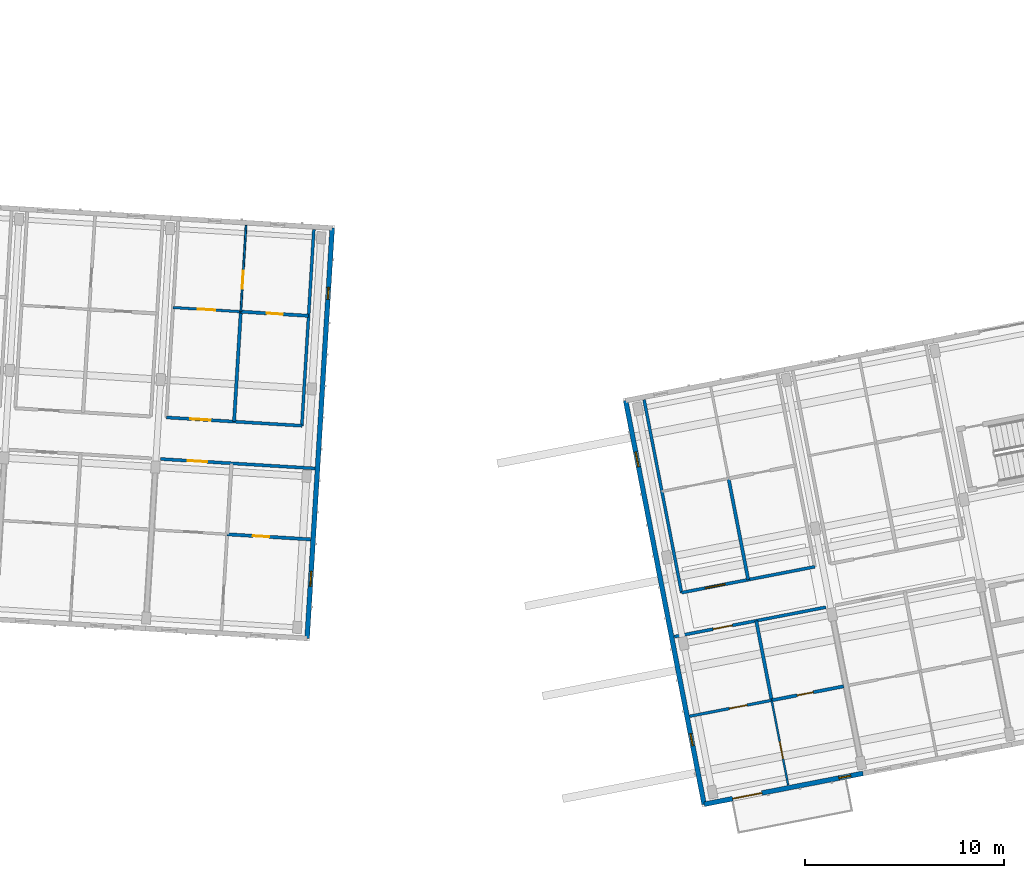
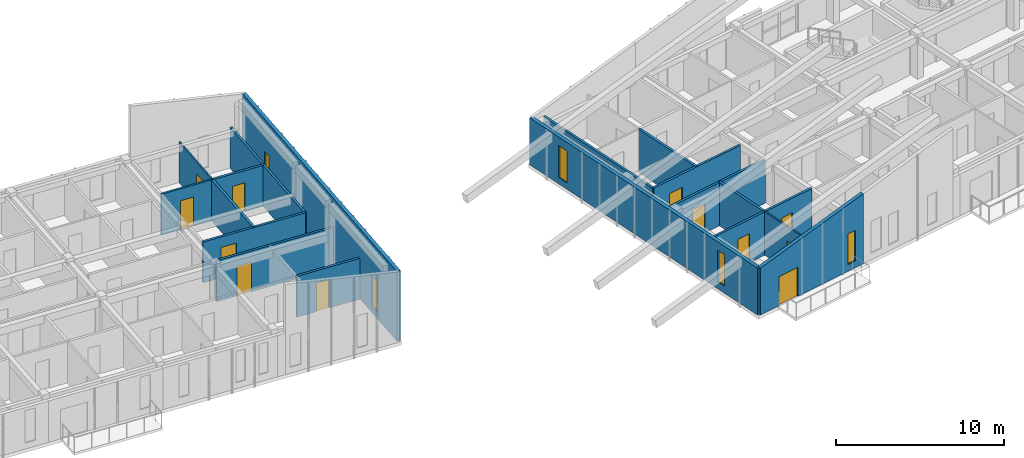
# One storey, part 28 of 64: 19 walls, 12 doors, 5 windows, 17 openings.
"""IFC4 building model written with IfcOpenShell, lengths in metres."""

from ifc_helpers import new_model, si_unit, direction, frame, frame_2d, origin, place, context, subcontext, project, spatial, polyline, rectangle, outline, extrude, material, layer, layer_set, type_object, element, fill, save


model = new_model("IFC4")

# Units and contexts
model_context = context("Model", 3, precision=1e-05, world=origin(), true_north=direction((0.0, 1.0)))
body_context = subcontext(model_context, "Body", "Model", "MODEL_VIEW")
ifc_project = project(units=[si_unit("LENGTHUNIT", "METRE"), si_unit("AREAUNIT", "SQUARE_METRE"), si_unit("VOLUMEUNIT", "CUBIC_METRE"), si_unit("PLANEANGLEUNIT", "RADIAN"), si_unit("MASSUNIT", "GRAM", prefix="KILO")], contexts=[model_context])

# Site, building, storey
site_placement = place(None, origin())
site = spatial("IfcSite", under=ifc_project, at=site_placement, CompositionType="ELEMENT")
building_placement = place(site_placement, origin())
building = spatial("IfcBuilding", under=site, at=building_placement, Name="Kestramere Prow Commons", CompositionType="ELEMENT")
storey_placement = place(building_placement, frame((0.0, 0.0, 24.64990234375)))
storey = spatial("IfcBuildingStorey", under=building, at=storey_placement, Name="L07", CompositionType="ELEMENT", Elevation=24.64990234375)

# Wall, openings, windows
ifc_material_1 = material(Name="Fluoropolymer Standing-Seam Zinc-Aluminium Cladding", Category="aluminium")
ifc_layer_1 = layer(ifc_material_1, 0.239990234375)
ifc_layer_set_1 = layer_set([ifc_layer_1], Name="Fluoropolymer Standing-Seam Zinc-Aluminium Cladding")
wall_type_1 = type_object("IfcWallType", Name="EW-SEAM-240", PredefinedType="SOLIDWALL", material=ifc_layer_set_1)
wall_1_placement = place(storey_placement, frame((106.767578125, 63.771484375, 0.0), z_axis=(0.0, 0.0, 1.0), x_axis=(-0.061053332998, -0.99813450523, 0.0)))
wall_1 = element("IfcWall", 1, at=wall_1_placement, inside=storey, type_object=wall_type_1, Name="Block C L07 EAV Facet Wall", PredefinedType="SOLIDWALL", context=body_context, shape_type="SweptSolid", body=[
    extrude(rectangle(XDim=20.64990234375, YDim=0.239990234375, at=frame_2d((10.324951171875, 0.0))), origin(), (0.0, 0.0, 1.0), 5.085205078125),
])
opening_1_placement = place(wall_1_placement, frame((2.989990234375, 0.0, 0.52001953125)))
opening_1 = element("IfcOpeningElement", 2, at=opening_1_placement, cuts=wall_1, Name="Opening WN-02", PredefinedType="OPENING", context=body_context, shape_type="SweptSolid", body=[
    extrude(rectangle(XDim=0.60009765625, YDim=2.219970703125, at=frame_2d((0.300048828125, 1.10986328125))), frame((0.0, 0.135009765625, 0.0), z_axis=(0.0, -1.0, 0.0), x_axis=(1.0, 0.0, 0.0)), (0.0, 0.0, 1.0), 0.27001953125),
])
opening_2_placement = place(wall_1_placement, frame((17.280029296875, 0.0, 0.449951171875)))
opening_2 = element("IfcOpeningElement", 3, at=opening_2_placement, cuts=wall_1, Name="Opening WN-09", PredefinedType="OPENING", context=body_context, shape_type="SweptSolid", body=[
    extrude(rectangle(XDim=0.739990234375, YDim=2.260009765625, at=frame_2d((0.3701171875, 1.1298828125))), frame((0.0, 0.135009765625, 0.0), z_axis=(0.0, -1.0, 0.0), x_axis=(1.0, 0.0, 0.0)), (0.0, 0.0, 1.0), 0.27001953125),
])
ifc_material_2 = material(Name="Low-E Laminated Double Glazing", Category="glass")
window_type_1 = type_object("IfcWindowType", Name="WN-NAR-600A", PartitioningType="SINGLE_PANEL", PredefinedType="WINDOW", material=ifc_material_2)
window_1_placement = place(opening_1_placement, origin())
window_1 = element("IfcWindow", 4, at=window_1_placement, inside=storey, type_object=window_type_1, Name="WN-C-L07-EAV-0", OverallHeight=2.219970703125, OverallWidth=0.60009765625, PartitioningType="SINGLE_PANEL", PredefinedType="WINDOW", context=body_context, shape_type="SweptSolid", body=[
    extrude(rectangle(XDim=0.60009765625, YDim=2.219970703125, at=frame_2d((0.300048828125, 1.10986328125))), frame((0.0, 0.030029296875, 0.0), z_axis=(0.0, -1.0, 0.0), x_axis=(1.0, 0.0, 0.0)), (0.0, 0.0, 1.0), 0.06005859375),
])
fill(opening_1, window_1)
window_type_2 = type_object("IfcWindowType", Name="WN-NAR-740A", PartitioningType="SINGLE_PANEL", PredefinedType="WINDOW", material=ifc_material_2)
window_2_placement = place(opening_2_placement, origin())
window_2 = element("IfcWindow", 5, at=window_2_placement, inside=storey, type_object=window_type_2, Name="WN-C-L07-EAV-1", OverallHeight=2.260009765625, OverallWidth=0.739990234375, PartitioningType="SINGLE_PANEL", PredefinedType="WINDOW", context=body_context, shape_type="SweptSolid", body=[
    extrude(rectangle(XDim=0.739990234375, YDim=2.260009765625, at=frame_2d((0.3701171875, 1.1298828125))), frame((0.0, 0.030029296875, 0.0), z_axis=(0.0, -1.0, 0.0), x_axis=(1.0, 0.0, 0.0)), (0.0, 0.0, 1.0), 0.06005859375),
])
fill(opening_2, window_2)

# Wall, openings, door, window
wall_2_placement = place(storey_placement, frame((133.4208984375, 36.385009765625, 0.0), z_axis=(0.0, 0.0, 1.0), x_axis=(-0.981628367112, -0.190802905848, 0.0)))
wall_2 = element("IfcWall", 6, at=wall_2_placement, inside=storey, type_object=wall_type_1, Name="Block D L07 South Standing-Seam Wall 2", PredefinedType="SOLIDWALL", context=body_context, shape_type="SweptSolid", body=[
    extrude(outline(polyline([(0.0, 0.0), (8.125, 0.0), (8.125, 3.4091796875), (0.0, 5.0908203125), (0.0, 0.0)])), frame((0.0, 0.1201171875, 0.0), z_axis=(0.0, -1.0, 0.0), x_axis=(1.0, 0.0, 0.0)), (0.0, 0.0, 1.0), 0.239990234375),
])
opening_3_placement = place(wall_2_placement, frame((5.1689453125, 0.0, 0.0)))
opening_3 = element("IfcOpeningElement", 7, at=opening_3_placement, cuts=wall_2, Name="Opening GD-BAL-01", PredefinedType="OPENING", context=body_context, shape_type="SweptSolid", body=[
    extrude(rectangle(XDim=1.5, YDim=2.1201171875, at=frame_2d((0.75, 1.06005859375))), frame((0.0, 0.135009765625, 0.0), z_axis=(0.0, -1.0, 0.0), x_axis=(1.0, 0.0, 0.0)), (0.0, 0.0, 1.0), 0.27001953125),
])
opening_4_placement = place(wall_2_placement, frame((0.6298828125, 0.0, 0.5)))
opening_4 = element("IfcOpeningElement", 8, at=opening_4_placement, cuts=wall_2, Name="Opening WN-02", PredefinedType="OPENING", context=body_context, shape_type="SweptSolid", body=[
    extrude(rectangle(XDim=0.60009765625, YDim=2.219970703125, at=frame_2d((0.300048828125, 1.10986328125))), frame((0.0, 0.135009765625, 0.0), z_axis=(0.0, -1.0, 0.0), x_axis=(1.0, 0.0, 0.0)), (0.0, 0.0, 1.0), 0.27001953125),
])
ifc_material_3 = material(Name="Thermally-Broken Anodised Aluminium Glazed", Category="aluminium")
door_type_1 = type_object("IfcDoorType", Name="GD-BAL-1500", OperationType="SLIDING_TO_RIGHT", PredefinedType="DOOR", material=ifc_material_3)
door_1_placement = place(opening_3_placement, origin())
door_1 = element("IfcDoor", 9, at=door_1_placement, inside=storey, type_object=door_type_1, Name="Block D L07 Balcony Door 2", OperationType="SLIDING_TO_RIGHT", OverallHeight=2.1201171875, OverallWidth=1.5, PredefinedType="DOOR", context=body_context, shape_type="SweptSolid", body=[
    extrude(rectangle(XDim=1.5, YDim=2.1201171875, at=frame_2d((0.75, 1.06005859375))), frame((0.0, 0.02490234375, 0.0), z_axis=(0.0, -1.0, 0.0), x_axis=(1.0, 0.0, 0.0)), (0.0, 0.0, 1.0), 0.050048828125),
])
fill(opening_3, door_1)
window_3_placement = place(opening_4_placement, origin())
window_3 = element("IfcWindow", 10, at=window_3_placement, inside=storey, type_object=window_type_1, Name="WN-D-L07-SR-1", OverallHeight=2.219970703125, OverallWidth=0.60009765625, PartitioningType="SINGLE_PANEL", PredefinedType="WINDOW", context=body_context, shape_type="SweptSolid", body=[
    extrude(rectangle(XDim=0.60009765625, YDim=2.219970703125, at=frame_2d((0.300048828125, 1.10986328125))), frame((0.0, 0.030029296875, 0.0), z_axis=(0.0, -1.0, 0.0), x_axis=(1.0, 0.0, 0.0)), (0.0, 0.0, 1.0), 0.06005859375),
])
fill(opening_4, window_3)

# Wall, openings, windows
wall_3_placement = place(storey_placement, frame((125.445068359375, 34.834716796875, 0.0), z_axis=(0.0, 0.0, 1.0), x_axis=(-0.190808900739, 0.981627201843, 0.0)))
wall_3 = element("IfcWall", 11, at=wall_3_placement, inside=storey, type_object=wall_type_1, Name="Block D L07 EAV Facet Wall", PredefinedType="SOLIDWALL", context=body_context, shape_type="SweptSolid", body=[
    extrude(rectangle(XDim=20.64990234375, YDim=0.239990234375, at=frame_2d((10.324951171875, 0.0))), origin(), (0.0, 0.0, 1.0), 3.4091796875),
])
opening_5_placement = place(wall_3_placement, frame((2.989990234375, 0.0, 0.52001953125)))
opening_5 = element("IfcOpeningElement", 12, at=opening_5_placement, cuts=wall_3, Name="Opening WN-03", PredefinedType="OPENING", context=body_context, shape_type="SweptSolid", body=[
    extrude(rectangle(XDim=0.6201171875, YDim=2.280029296875, at=frame_2d((0.31005859375, 1.14013671875))), frame((0.0, 0.135009765625, 0.0), z_axis=(0.0, -1.0, 0.0), x_axis=(1.0, 0.0, 0.0)), (0.0, 0.0, 1.0), 0.27001953125),
])
opening_6_placement = place(wall_3_placement, frame((17.260009765625, 0.0, 0.449951171875)))
opening_6 = element("IfcOpeningElement", 13, at=opening_6_placement, cuts=wall_3, Name="Opening WN-10", PredefinedType="OPENING", context=body_context, shape_type="SweptSolid", body=[
    extrude(rectangle(XDim=0.760009765625, YDim=2.340087890625, at=frame_2d((0.3798828125, 1.169921875))), frame((0.0, 0.135009765625, 0.0), z_axis=(0.0, -1.0, 0.0), x_axis=(1.0, 0.0, 0.0)), (0.0, 0.0, 1.0), 0.27001953125),
])
window_type_3 = type_object("IfcWindowType", Name="WN-NAR-620A", PartitioningType="SINGLE_PANEL", PredefinedType="WINDOW", material=ifc_material_2)
window_4_placement = place(opening_5_placement, origin())
window_4 = element("IfcWindow", 14, at=window_4_placement, inside=storey, type_object=window_type_3, Name="WN-D-L07-EAV-0", OverallHeight=2.280029296875, OverallWidth=0.6201171875, PartitioningType="SINGLE_PANEL", PredefinedType="WINDOW", context=body_context, shape_type="SweptSolid", body=[
    extrude(rectangle(XDim=0.6201171875, YDim=2.280029296875, at=frame_2d((0.31005859375, 1.14013671875))), frame((0.0, 0.030029296875, 0.0), z_axis=(0.0, -1.0, 0.0), x_axis=(1.0, 0.0, 0.0)), (0.0, 0.0, 1.0), 0.06005859375),
])
fill(opening_5, window_4)
window_type_4 = type_object("IfcWindowType", Name="WN-NAR-760A", PartitioningType="SINGLE_PANEL", PredefinedType="WINDOW", material=ifc_material_2)
window_5_placement = place(opening_6_placement, origin())
window_5 = element("IfcWindow", 15, at=window_5_placement, inside=storey, type_object=window_type_4, Name="WN-D-L07-EAV-1", OverallHeight=2.340087890625, OverallWidth=0.760009765625, PartitioningType="SINGLE_PANEL", PredefinedType="WINDOW", context=body_context, shape_type="SweptSolid", body=[
    extrude(rectangle(XDim=0.760009765625, YDim=2.340087890625, at=frame_2d((0.3798828125, 1.169921875))), frame((0.0, 0.030029296875, 0.0), z_axis=(0.0, -1.0, 0.0), x_axis=(1.0, 0.0, 0.0)), (0.0, 0.0, 1.0), 0.06005859375),
])
fill(opening_6, window_5)

# Wall, opening, door
ifc_material_4 = material(Name="Fire-Rated Calcium Silicate Wall")
ifc_layer_2 = layer(ifc_material_4, 0.155029296875)
ifc_layer_set_2 = layer_set([ifc_layer_2], Name="Fire-Rated Calcium Silicate Wall")
wall_type_2 = type_object("IfcWallType", Name="W-FIRE-150", PredefinedType="PARTITIONING", material=ifc_layer_set_2)
wall_4_placement = place(storey_placement, frame((98.1533203125, 52.1708984375, 0.0), z_axis=(0.0, 0.0, 1.0), x_axis=(0.998133734847, -0.061065926349, 0.0)))
wall_4 = element("IfcWall", 16, at=wall_4_placement, inside=storey, type_object=wall_type_2, Name="Interior Partition PW-C-L07-CS-5", PredefinedType="PARTITIONING", context=body_context, shape_type="SweptSolid", body=[
    extrude(rectangle(XDim=7.760009765625, YDim=0.155029296875, at=frame_2d((3.8798828125, 0.0))), origin(), (0.0, 0.0, 1.0), 2.97021484375),
])
opening_7_placement = place(wall_4_placement, frame((1.35498046875, 0.0, 0.0)))
opening_7 = element("IfcOpeningElement", 17, at=opening_7_placement, cuts=wall_4, Name="Opening ID-04", PredefinedType="OPENING", context=body_context, shape_type="SweptSolid", body=[
    extrude(rectangle(XDim=0.97998046875, YDim=2.14990234375, at=frame_2d((0.489990234375, 1.074951171875))), frame((0.0, 0.092529296875, 0.0), z_axis=(0.0, -1.0, 0.0), x_axis=(1.0, 0.0, 0.0)), (0.0, 0.0, 1.0), 0.18505859375),
])
ifc_material_5 = material(Name="Hardwood Fire-Rated Flat Entrance Door", Category="wood")
door_type_2 = type_object("IfcDoorType", Name="FD-ENT-01", OperationType="NOTDEFINED", PredefinedType="DOOR", material=ifc_material_5)
door_2_placement = place(opening_7_placement, origin())
door_2 = element("IfcDoor", 18, at=door_2_placement, inside=storey, type_object=door_type_2, Name="Interior Door DR-C-L07-ENT-S5", OperationType="SINGLE_SWING_LEFT", OverallHeight=2.14990234375, OverallWidth=0.97998046875, PredefinedType="DOOR", context=body_context, shape_type="SweptSolid", body=[
    extrude(rectangle(XDim=0.97998046875, YDim=2.14990234375, at=frame_2d((0.489990234375, 1.074951171875))), frame((0.0, 0.02490234375, 0.0), z_axis=(0.0, -1.0, 0.0), x_axis=(1.0, 0.0, 0.0)), (0.0, 0.0, 1.0), 0.050048828125),
])
fill(opening_7, door_2)

wall_5_placement = place(storey_placement, frame((98.436279296875, 54.257568359375, 0.0), z_axis=(0.0, 0.0, 1.0), x_axis=(0.998133350094, -0.061072214879, 0.0)))
wall_5 = element("IfcWall", 19, at=wall_5_placement, inside=storey, type_object=wall_type_2, Name="Interior Partition PW-C-L07-CN-5", PredefinedType="PARTITIONING", context=body_context, shape_type="SweptSolid", body=[
    extrude(rectangle(XDim=6.81982421875, YDim=0.155029296875, at=frame_2d((3.409912109375, 0.0))), origin(), (0.0, 0.0, 1.0), 2.97021484375),
])
opening_8_placement = place(wall_5_placement, frame((1.205078125, 0.0, 0.0)))
opening_8 = element("IfcOpeningElement", 20, at=opening_8_placement, cuts=wall_5, Name="Opening ID-05", PredefinedType="OPENING", context=body_context, shape_type="SweptSolid", body=[
    extrude(rectangle(XDim=1.02001953125, YDim=2.199951171875, at=frame_2d((0.510009765625, 1.10009765625))), frame((0.0, 0.092529296875, 0.0), z_axis=(0.0, -1.0, 0.0), x_axis=(1.0, 0.0, 0.0)), (0.0, 0.0, 1.0), 0.18505859375),
])
door_type_3 = type_object("IfcDoorType", Name="FD-ENT-02", OperationType="NOTDEFINED", PredefinedType="DOOR", material=ifc_material_5)
door_3_placement = place(opening_8_placement, origin())
door_3 = element("IfcDoor", 21, at=door_3_placement, inside=storey, type_object=door_type_3, Name="Interior Door DR-C-L07-ENT-N5", OperationType="SINGLE_SWING_RIGHT", OverallHeight=2.199951171875, OverallWidth=1.02001953125, PredefinedType="DOOR", context=body_context, shape_type="SweptSolid", body=[
    extrude(rectangle(XDim=1.02001953125, YDim=2.199951171875, at=frame_2d((0.510009765625, 1.10009765625))), frame((0.0, 0.02490234375, 0.0), z_axis=(0.0, -1.0, 0.0), x_axis=(1.0, 0.0, 0.0)), (0.0, 0.0, 1.0), 0.050048828125),
])
fill(opening_8, door_3)

wall_6_placement = place(storey_placement, frame((123.9423828125, 43.247314453125, 0.0), z_axis=(0.0, 0.0, 1.0), x_axis=(0.981626358594, 0.190813238834, 0.0)))
wall_6 = element("IfcWall", 22, at=wall_6_placement, inside=storey, type_object=wall_type_2, Name="Interior Partition PW-D-L07-CS-1", PredefinedType="PARTITIONING", context=body_context, shape_type="SweptSolid", body=[
    extrude(rectangle(XDim=7.760009765625, YDim=0.155029296875, at=frame_2d((3.8798828125, 0.0))), origin(), (0.0, 0.0, 1.0), 3.150146484375),
])
opening_9_placement = place(wall_6_placement, frame((1.985107421875, 0.0, 0.0)))
opening_9 = element("IfcOpeningElement", 23, at=opening_9_placement, cuts=wall_6, Name="Opening ID-04", PredefinedType="OPENING", context=body_context, shape_type="SweptSolid", body=[
    extrude(rectangle(XDim=0.97998046875, YDim=2.14990234375, at=frame_2d((0.489990234375, 1.074951171875))), frame((0.0, 0.092529296875, 0.0), z_axis=(0.0, -1.0, 0.0), x_axis=(1.0, 0.0, 0.0)), (0.0, 0.0, 1.0), 0.18505859375),
])
door_4_placement = place(opening_9_placement, origin())
door_4 = element("IfcDoor", 24, at=door_4_placement, inside=storey, type_object=door_type_2, Name="Interior Door DR-D-L07-ENT-S1", OperationType="SINGLE_SWING_LEFT", OverallHeight=2.14990234375, OverallWidth=0.97998046875, PredefinedType="DOOR", context=body_context, shape_type="SweptSolid", body=[
    extrude(rectangle(XDim=0.97998046875, YDim=2.14990234375, at=frame_2d((0.489990234375, 1.074951171875))), frame((0.0, 0.02490234375, 0.0), z_axis=(0.0, -1.0, 0.0), x_axis=(1.0, 0.0, 0.0)), (0.0, 0.0, 1.0), 0.050048828125),
])
fill(opening_9, door_4)

wall_7_placement = place(storey_placement, frame((124.312255859375, 45.458740234375, 0.0), z_axis=(0.0, 0.0, 1.0), x_axis=(0.981627870431, 0.190805461121, 0.0)))
wall_7 = element("IfcWall", 25, at=wall_7_placement, inside=storey, type_object=wall_type_2, Name="Interior Partition PW-D-L07-CN-1", PredefinedType="PARTITIONING", context=body_context, shape_type="SweptSolid", body=[
    extrude(rectangle(XDim=6.81982421875, YDim=0.155029296875, at=frame_2d((3.409912109375, 0.0))), origin(), (0.0, 0.0, 1.0), 3.150146484375),
])
opening_10_placement = place(wall_7_placement, frame((1.205078125, 0.0, 0.0)))
opening_10 = element("IfcOpeningElement", 26, at=opening_10_placement, cuts=wall_7, Name="Opening ID-05", PredefinedType="OPENING", context=body_context, shape_type="SweptSolid", body=[
    extrude(rectangle(XDim=1.02001953125, YDim=2.199951171875, at=frame_2d((0.510009765625, 1.10009765625))), frame((0.0, 0.092529296875, 0.0), z_axis=(0.0, -1.0, 0.0), x_axis=(1.0, 0.0, 0.0)), (0.0, 0.0, 1.0), 0.18505859375),
])
door_5_placement = place(opening_10_placement, origin())
door_5 = element("IfcDoor", 27, at=door_5_placement, inside=storey, type_object=door_type_3, Name="Interior Door DR-D-L07-ENT-N1", OperationType="SINGLE_SWING_RIGHT", OverallHeight=2.199951171875, OverallWidth=1.02001953125, PredefinedType="DOOR", context=body_context, shape_type="SweptSolid", body=[
    extrude(rectangle(XDim=1.02001953125, YDim=2.199951171875, at=frame_2d((0.510009765625, 1.10009765625))), frame((0.0, 0.02490234375, 0.0), z_axis=(0.0, -1.0, 0.0), x_axis=(1.0, 0.0, 0.0)), (0.0, 0.0, 1.0), 0.050048828125),
])
fill(opening_10, door_5)

ifc_material_6 = material(Name="Gypsum Acoustic Drywall")
ifc_layer_3 = layer(ifc_material_6, 0.10009765625)
ifc_layer_set_3 = layer_set([ifc_layer_3], Name="Gypsum Acoustic Drywall")
wall_type_3 = type_object("IfcWallType", Name="W-PART-100", PredefinedType="PARTITIONING", material=ifc_layer_set_3)
wall_8_placement = place(storey_placement, frame((129.6650390625, 35.79248046875, 0.0), z_axis=(0.0, 0.0, 1.0), x_axis=(-0.190812443151, 0.981626513262, 0.0)))
wall_8 = element("IfcWall", 28, at=wall_8_placement, inside=storey, type_object=wall_type_3, Name="Interior Partition PW-D-L07-LB-S1", PredefinedType="PARTITIONING", context=body_context, shape_type="SweptSolid", body=[
    extrude(rectangle(XDim=4.340087890625, YDim=0.10009765625, at=frame_2d((2.169921875, 0.0))), origin(), (0.0, 0.0, 1.0), 3.150146484375),
])
opening_11_placement = place(wall_8_placement, frame((1.35009765625, 0.0, 0.0)))
opening_11 = element("IfcOpeningElement", 29, at=opening_11_placement, cuts=wall_8, Name="Opening ID-10", PredefinedType="OPENING", context=body_context, shape_type="SweptSolid", body=[
    extrude(rectangle(XDim=0.8798828125, YDim=2.10009765625, at=frame_2d((0.43994140625, 1.050048828125))), frame((0.0, 0.06494140625, 0.0), z_axis=(0.0, -1.0, 0.0), x_axis=(1.0, 0.0, 0.0)), (0.0, 0.0, 1.0), 0.130126953125),
])
ifc_material_7 = material(Name="Engineered Timber Bedroom Door", Category="wood")
door_type_4 = type_object("IfcDoorType", Name="D-RM-03", OperationType="NOTDEFINED", PredefinedType="DOOR", material=ifc_material_7)
door_6_placement = place(opening_11_placement, origin())
door_6 = element("IfcDoor", 30, at=door_6_placement, inside=storey, type_object=door_type_4, Name="Interior Door DR-D-L07-BED-S1", OperationType="SINGLE_SWING_RIGHT", OverallHeight=2.10009765625, OverallWidth=0.8798828125, PredefinedType="DOOR", context=body_context, shape_type="SweptSolid", body=[
    extrude(rectangle(XDim=0.8798828125, YDim=2.10009765625, at=frame_2d((0.43994140625, 1.050048828125))), frame((0.0, 0.02490234375, 0.0), z_axis=(0.0, -1.0, 0.0), x_axis=(1.0, 0.0, 0.0)), (0.0, 0.0, 1.0), 0.050048828125),
])
fill(opening_11, door_6)

ifc_material_8 = material(Name="Lightweight Blockwork and Plaster", Category="masonry")
ifc_layer_4 = layer(ifc_material_8, 0.1298828125)
ifc_layer_set_4 = layer_set([ifc_layer_4], Name="Lightweight Blockwork and Plaster")
wall_type_4 = type_object("IfcWallType", Name="W-PART-130", PredefinedType="PARTITIONING", material=ifc_layer_set_4)
wall_9_placement = place(storey_placement, frame((98.77392578125, 59.777099609375, 0.0), z_axis=(0.0, 0.0, 1.0), x_axis=(0.998137711988, -0.061000884486, 0.0)))
wall_9 = element("IfcWall", 31, at=wall_9_placement, inside=storey, type_object=wall_type_4, Name="Interior Partition PW-C-L07-MIDN1-5", PredefinedType="PARTITIONING", context=body_context, shape_type="SweptSolid", body=[
    extrude(rectangle(XDim=3.409912109375, YDim=0.1298828125, at=frame_2d((1.705078125, 0.0))), origin(), (0.0, 0.0, 1.0), 2.97021484375),
])
opening_12_placement = place(wall_9_placement, frame((1.2548828125, 0.0, 0.0)))
opening_12 = element("IfcOpeningElement", 32, at=opening_12_placement, cuts=wall_9, Name="Opening ID-10", PredefinedType="OPENING", context=body_context, shape_type="SweptSolid", body=[
    extrude(rectangle(XDim=0.8798828125, YDim=2.10009765625, at=frame_2d((0.43994140625, 1.050048828125))), frame((0.0, 0.079833984375, 0.0), z_axis=(0.0, -1.0, 0.0), x_axis=(1.0, 0.0, 0.0)), (0.0, 0.0, 1.0), 0.159912109375),
])
door_7_placement = place(opening_12_placement, origin())
door_7 = element("IfcDoor", 33, at=door_7_placement, inside=storey, type_object=door_type_4, Name="Interior Door DR-C-L07-KL-N5", OperationType="SINGLE_SWING_LEFT", OverallHeight=2.10009765625, OverallWidth=0.8798828125, PredefinedType="DOOR", context=body_context, shape_type="SweptSolid", body=[
    extrude(rectangle(XDim=0.8798828125, YDim=2.10009765625, at=frame_2d((0.43994140625, 1.050048828125))), frame((0.0, 0.02490234375, 0.0), z_axis=(0.0, -1.0, 0.0), x_axis=(1.0, 0.0, 0.0)), (0.0, 0.0, 1.0), 0.050048828125),
])
fill(opening_12, door_7)

ifc_material_9 = material(Name="Masonry Compartment Wall", Category="masonry")
ifc_layer_5 = layer(ifc_material_9, 0.139892578125)
ifc_layer_set_5 = layer_set([ifc_layer_5], Name="Masonry Compartment Wall")
wall_type_5 = type_object("IfcWallType", Name="W-PART-140", PredefinedType="PARTITIONING", material=ifc_layer_set_5)
wall_10_placement = place(storey_placement, frame((124.718994140625, 39.252197265625, 0.0), z_axis=(0.0, 0.0, 1.0), x_axis=(0.981622961106, 0.19083071616, 0.0)))
wall_10 = element("IfcWall", 34, at=wall_10_placement, inside=storey, type_object=wall_type_5, Name="Interior Partition PW-D-L07-MIDS1-1", PredefinedType="PARTITIONING", context=body_context, shape_type="SweptSolid", body=[
    extrude(rectangle(XDim=4.195068359375, YDim=0.139892578125, at=frame_2d((2.09765625, 0.0))), origin(), (0.0, 0.0, 1.0), 3.150146484375),
])
opening_13_placement = place(wall_10_placement, frame((2.034912109375, 0.0, 0.0)))
opening_13 = element("IfcOpeningElement", 35, at=opening_13_placement, cuts=wall_10, Name="Opening ID-08", PredefinedType="OPENING", context=body_context, shape_type="SweptSolid", body=[
    extrude(rectangle(XDim=0.89990234375, YDim=2.10009765625, at=frame_2d((0.449951171875, 1.050048828125))), frame((0.0, 0.0849609375, 0.0), z_axis=(0.0, -1.0, 0.0), x_axis=(1.0, 0.0, 0.0)), (0.0, 0.0, 1.0), 0.169921875),
])
ifc_material_10 = material(Name="Engineered Timber Flush Door", Category="wood")
door_type_5 = type_object("IfcDoorType", Name="D-RM-01", OperationType="NOTDEFINED", PredefinedType="DOOR", material=ifc_material_10)
door_8_placement = place(opening_13_placement, origin())
door_8 = element("IfcDoor", 36, at=door_8_placement, inside=storey, type_object=door_type_5, Name="Interior Door DR-D-L07-KL-S1", OperationType="SINGLE_SWING_RIGHT", OverallHeight=2.10009765625, OverallWidth=0.89990234375, PredefinedType="DOOR", context=body_context, shape_type="SweptSolid", body=[
    extrude(rectangle(XDim=0.89990234375, YDim=2.10009765625, at=frame_2d((0.449951171875, 1.050048828125))), frame((0.0, 0.02490234375, 0.0), z_axis=(0.0, -1.0, 0.0), x_axis=(1.0, 0.0, 0.0)), (0.0, 0.0, 1.0), 0.050048828125),
])
fill(opening_13, door_8)

# Walls
ifc_layer_6 = layer(ifc_material_9, 0.14990234375)
ifc_layer_set_6 = layer_set([ifc_layer_6], Name="Masonry Compartment Wall")
wall_type_6 = type_object("IfcWallType", Name="W-PART-150", PredefinedType="PARTITIONING", material=ifc_layer_set_6)
wall_11_placement = place(storey_placement, frame((105.243408203125, 53.841064453125, 0.0), z_axis=(0.0, 0.0, 1.0), x_axis=(0.061047700465, 0.998134849741, 0.0)))
element("IfcWall", 37, at=wall_11_placement, inside=storey, type_object=wall_type_6, Name="Interior Partition PW-C-L07-NWR-5", PredefinedType="PARTITIONING", context=body_context, shape_type="SweptSolid", body=[
    extrude(rectangle(XDim=9.869873046875, YDim=0.14990234375, at=frame_2d((4.93505859375, 0.0))), origin(), (0.0, 0.0, 1.0), 2.97021484375),
])
wall_12_placement = place(storey_placement, frame((124.312255859375, 45.458740234375, 0.0), z_axis=(0.0, 0.0, 1.0), x_axis=(-0.190814044018, 0.981626202078, 0.0)))
element("IfcWall", 38, at=wall_12_placement, inside=storey, type_object=wall_type_6, Name="Interior Partition PW-D-L07-NWL-1", PredefinedType="PARTITIONING", context=body_context, shape_type="SweptSolid", body=[
    extrude(rectangle(XDim=9.869873046875, YDim=0.14990234375, at=frame_2d((4.93505859375, 0.0))), origin(), (0.0, 0.0, 1.0), 3.150146484375),
])

# Wall, opening, door
ifc_layer_7 = layer(ifc_material_6, 0.094970703125)
ifc_layer_set_7 = layer_set([ifc_layer_7], Name="Gypsum Acoustic Drywall")
wall_type_7 = type_object("IfcWallType", Name="W-PART-95", PredefinedType="PARTITIONING", material=ifc_layer_set_7)
wall_13_placement = place(storey_placement, frame((102.177490234375, 59.569091796875, 0.0), z_axis=(0.0, 0.0, 1.0), x_axis=(0.061036861365, 0.998135512621, 0.0)))
wall_13 = element("IfcWall", 39, at=wall_13_placement, inside=storey, type_object=wall_type_7, Name="Interior Partition PW-C-L07-LB-N5", PredefinedType="PARTITIONING", context=body_context, shape_type="SweptSolid", body=[
    extrude(rectangle(XDim=4.33984375, YDim=0.094970703125, at=frame_2d((2.169921875, 0.0))), origin(), (0.0, 0.0, 1.0), 2.97021484375),
])
opening_14_placement = place(wall_13_placement, frame((1.14990234375, 0.0, 0.0)))
opening_14 = element("IfcOpeningElement", 40, at=opening_14_placement, cuts=wall_13, Name="Opening ID-08", PredefinedType="OPENING", context=body_context, shape_type="SweptSolid", body=[
    extrude(rectangle(XDim=0.89990234375, YDim=2.10009765625, at=frame_2d((0.449951171875, 1.050048828125))), frame((0.0, 0.0625, 0.0), z_axis=(0.0, -1.0, 0.0), x_axis=(1.0, 0.0, 0.0)), (0.0, 0.0, 1.0), 0.125),
])
door_9_placement = place(opening_14_placement, origin())
door_9 = element("IfcDoor", 41, at=door_9_placement, inside=storey, type_object=door_type_5, Name="Interior Door DR-C-L07-BED-N5", OperationType="SINGLE_SWING_LEFT", OverallHeight=2.10009765625, OverallWidth=0.89990234375, PredefinedType="DOOR", context=body_context, shape_type="SweptSolid", body=[
    extrude(rectangle(XDim=0.89990234375, YDim=2.10009765625, at=frame_2d((0.449951171875, 1.050048828125))), frame((0.0, 0.02490234375, 0.0), z_axis=(0.0, -1.0, 0.0), x_axis=(1.0, 0.0, 0.0)), (0.0, 0.0, 1.0), 0.050048828125),
])
fill(opening_14, door_9)

ifc_material_11 = material(Name="Waterproof Sanitary Masonry Wall", Category="masonry")
ifc_layer_8 = layer(ifc_material_11, 0.1650390625)
ifc_layer_set_8 = layer_set([ifc_layer_8], Name="Waterproof Sanitary Masonry Wall")
wall_type_8 = type_object("IfcWallType", Name="W-PLUMB-150", PredefinedType="PLUMBINGWALL", material=ifc_layer_set_8)
wall_14_placement = place(storey_placement, frame((101.49365234375, 48.389892578125, 0.0), z_axis=(0.0, 0.0, 1.0), x_axis=(0.99813479877, -0.061048533841, 0.0)))
wall_14 = element("IfcWall", 42, at=wall_14_placement, inside=storey, type_object=wall_type_8, Name="Interior Partition PW-C-L07-MIDS2-5", PredefinedType="PLUMBINGWALL", context=body_context, shape_type="SweptSolid", body=[
    extrude(rectangle(XDim=4.195068359375, YDim=0.1650390625, at=frame_2d((2.09765625, 0.0))), origin(), (0.0, 0.0, 1.0), 2.97021484375),
])
opening_15_placement = place(wall_14_placement, frame((1.300048828125, 0.0, 0.0)))
opening_15 = element("IfcOpeningElement", 43, at=opening_15_placement, cuts=wall_14, Name="Opening ID-11", PredefinedType="OPENING", context=body_context, shape_type="SweptSolid", body=[
    extrude(rectangle(XDim=0.820068359375, YDim=2.080078125, at=frame_2d((0.41015625, 1.0400390625))), frame((0.0, 0.097412109375, 0.0), z_axis=(0.0, -1.0, 0.0), x_axis=(1.0, 0.0, 0.0)), (0.0, 0.0, 1.0), 0.195068359375),
])
ifc_material_12 = material(Name="Moisture-Resistant Timber Bathroom Door", Category="wood")
door_type_6 = type_object("IfcDoorType", Name="D-BT-01", OperationType="NOTDEFINED", PredefinedType="DOOR", material=ifc_material_12)
door_10_placement = place(opening_15_placement, origin())
door_10 = element("IfcDoor", 44, at=door_10_placement, inside=storey, type_object=door_type_6, Name="Interior Door DR-C-L07-BTH-S5", OperationType="SINGLE_SWING_LEFT", OverallHeight=2.080078125, OverallWidth=0.820068359375, PredefinedType="DOOR", context=body_context, shape_type="SweptSolid", body=[
    extrude(rectangle(XDim=0.820068359375, YDim=2.080078125, at=frame_2d((0.41015625, 1.0400390625))), frame((0.0, 0.02490234375, 0.0), z_axis=(0.0, -1.0, 0.0), x_axis=(1.0, 0.0, 0.0)), (0.0, 0.0, 1.0), 0.050048828125),
])
fill(opening_15, door_10)

wall_15_placement = place(storey_placement, frame((102.177490234375, 59.569091796875, 0.0), z_axis=(0.0, 0.0, 1.0), x_axis=(0.998133350094, -0.061072214879, 0.0)))
wall_15 = element("IfcWall", 45, at=wall_15_placement, inside=storey, type_object=wall_type_8, Name="Interior Partition PW-C-L07-MIDN2-5", PredefinedType="PLUMBINGWALL", context=body_context, shape_type="SweptSolid", body=[
    extrude(rectangle(XDim=3.409912109375, YDim=0.1650390625, at=frame_2d((1.705078125, 0.0))), origin(), (0.0, 0.0, 1.0), 2.97021484375),
])
opening_16_placement = place(wall_15_placement, frame((1.294921875, 0.0, 0.0)))
opening_16 = element("IfcOpeningElement", 46, at=opening_16_placement, cuts=wall_15, Name="Opening ID-11", PredefinedType="OPENING", context=body_context, shape_type="SweptSolid", body=[
    extrude(rectangle(XDim=0.820068359375, YDim=2.080078125, at=frame_2d((0.41015625, 1.0400390625))), frame((0.0, 0.097412109375, 0.0), z_axis=(0.0, -1.0, 0.0), x_axis=(1.0, 0.0, 0.0)), (0.0, 0.0, 1.0), 0.195068359375),
])
door_11_placement = place(opening_16_placement, origin())
door_11 = element("IfcDoor", 47, at=door_11_placement, inside=storey, type_object=door_type_6, Name="Interior Door DR-C-L07-BTH-N5", OperationType="SINGLE_SWING_RIGHT", OverallHeight=2.080078125, OverallWidth=0.820068359375, PredefinedType="DOOR", context=body_context, shape_type="SweptSolid", body=[
    extrude(rectangle(XDim=0.820068359375, YDim=2.080078125, at=frame_2d((0.41015625, 1.0400390625))), frame((0.0, 0.02490234375, 0.0), z_axis=(0.0, -1.0, 0.0), x_axis=(1.0, 0.0, 0.0)), (0.0, 0.0, 1.0), 0.050048828125),
])
fill(opening_16, door_11)

# Wall
wall_16_placement = place(storey_placement, frame((101.83984375, 54.04931640625, 0.0), z_axis=(0.0, 0.0, 1.0), x_axis=(0.061056206715, 0.998134329447, 0.0)))
element("IfcWall", 48, at=wall_16_placement, inside=storey, type_object=wall_type_8, Name="Interior Partition PW-C-L07-KB-N5", PredefinedType="PLUMBINGWALL", context=body_context, shape_type="SweptSolid", body=[
    extrude(rectangle(XDim=5.530029296875, YDim=0.1650390625, at=frame_2d((2.76513671875, 0.0))), origin(), (0.0, 0.0, 1.0), 2.97021484375),
])

# Wall, opening, door
wall_17_placement = place(storey_placement, frame((128.8369140625, 40.052734375, 0.0), z_axis=(0.0, 0.0, 1.0), x_axis=(0.981626422232, 0.190812911449, 0.0)))
wall_17 = element("IfcWall", 49, at=wall_17_placement, inside=storey, type_object=wall_type_8, Name="Interior Partition PW-D-L07-MIDS2-1", PredefinedType="PLUMBINGWALL", context=body_context, shape_type="SweptSolid", body=[
    extrude(rectangle(XDim=3.684814453125, YDim=0.1650390625, at=frame_2d((1.84228515625, 0.0))), origin(), (0.0, 0.0, 1.0), 3.150146484375),
])
opening_17_placement = place(wall_17_placement, frame((1.300048828125, 0.0, 0.0)))
opening_17 = element("IfcOpeningElement", 50, at=opening_17_placement, cuts=wall_17, Name="Opening ID-11", PredefinedType="OPENING", context=body_context, shape_type="SweptSolid", body=[
    extrude(rectangle(XDim=0.820068359375, YDim=2.080078125, at=frame_2d((0.41015625, 1.0400390625))), frame((0.0, 0.097412109375, 0.0), z_axis=(0.0, -1.0, 0.0), x_axis=(1.0, 0.0, 0.0)), (0.0, 0.0, 1.0), 0.195068359375),
])
door_12_placement = place(opening_17_placement, origin())
door_12 = element("IfcDoor", 51, at=door_12_placement, inside=storey, type_object=door_type_6, Name="Interior Door DR-D-L07-BTH-S1", OperationType="SINGLE_SWING_LEFT", OverallHeight=2.080078125, OverallWidth=0.820068359375, PredefinedType="DOOR", context=body_context, shape_type="SweptSolid", body=[
    extrude(rectangle(XDim=0.820068359375, YDim=2.080078125, at=frame_2d((0.41015625, 1.0400390625))), frame((0.0, 0.02490234375, 0.0), z_axis=(0.0, -1.0, 0.0), x_axis=(1.0, 0.0, 0.0)), (0.0, 0.0, 1.0), 0.050048828125),
])
fill(opening_17, door_12)

# Walls
wall_18_placement = place(storey_placement, frame((128.8369140625, 40.052734375, 0.0), z_axis=(0.0, 0.0, 1.0), x_axis=(-0.19081827974, 0.981625378705, 0.0)))
element("IfcWall", 52, at=wall_18_placement, inside=storey, type_object=wall_type_8, Name="Interior Partition PW-D-L07-KB-S1", PredefinedType="PLUMBINGWALL", context=body_context, shape_type="SweptSolid", body=[
    extrude(rectangle(XDim=4.06982421875, YDim=0.1650390625, at=frame_2d((2.034912109375, 0.0))), origin(), (0.0, 0.0, 1.0), 3.150146484375),
])
wall_19_placement = place(storey_placement, frame((127.65966796875, 46.109375, 0.0), z_axis=(0.0, 0.0, 1.0), x_axis=(-0.190838120755, 0.981621521599, 0.0)))
element("IfcWall", 53, at=wall_19_placement, inside=storey, type_object=wall_type_8, Name="Interior Partition PW-D-L07-KB-N1", PredefinedType="PLUMBINGWALL", context=body_context, shape_type="SweptSolid", body=[
    extrude(rectangle(XDim=5.179931640625, YDim=0.1650390625, at=frame_2d((2.58984375, 0.0))), origin(), (0.0, 0.0, 1.0), 3.150146484375),
])

save(model, "model.ifc")
